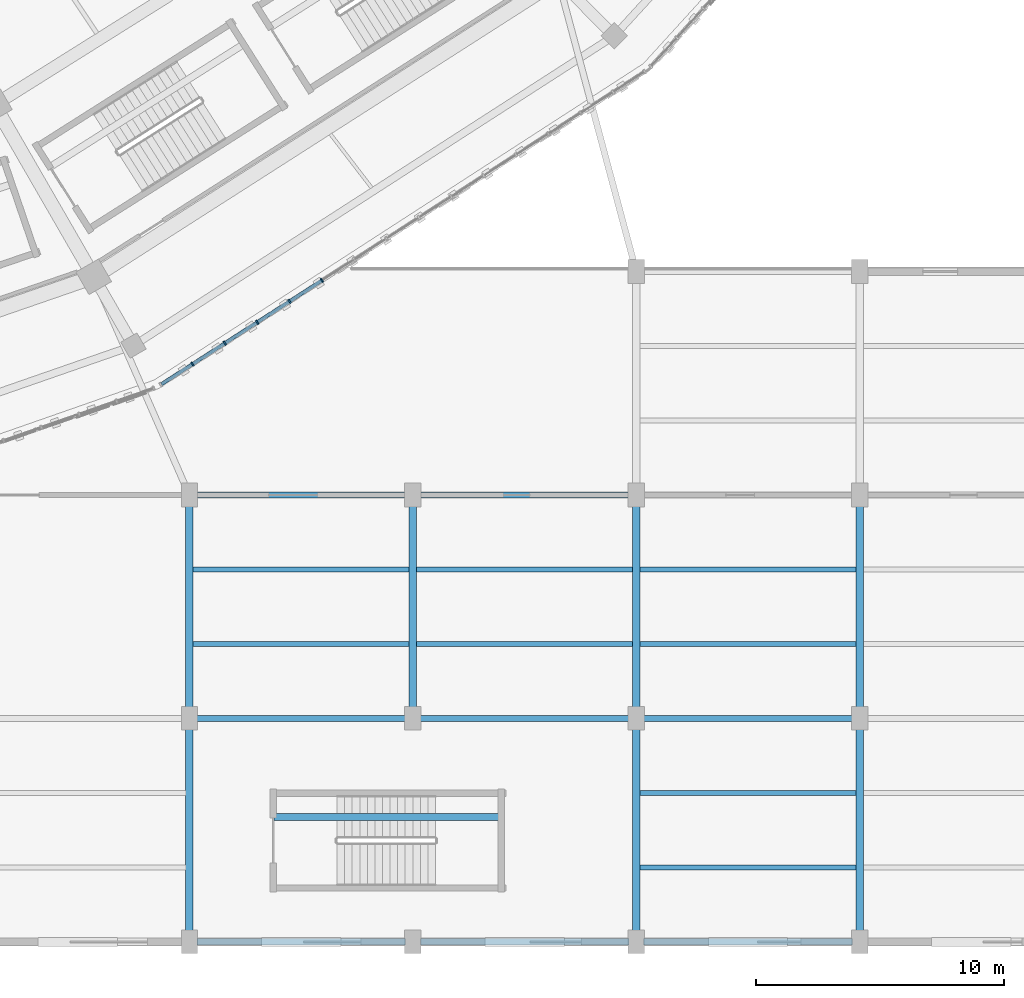
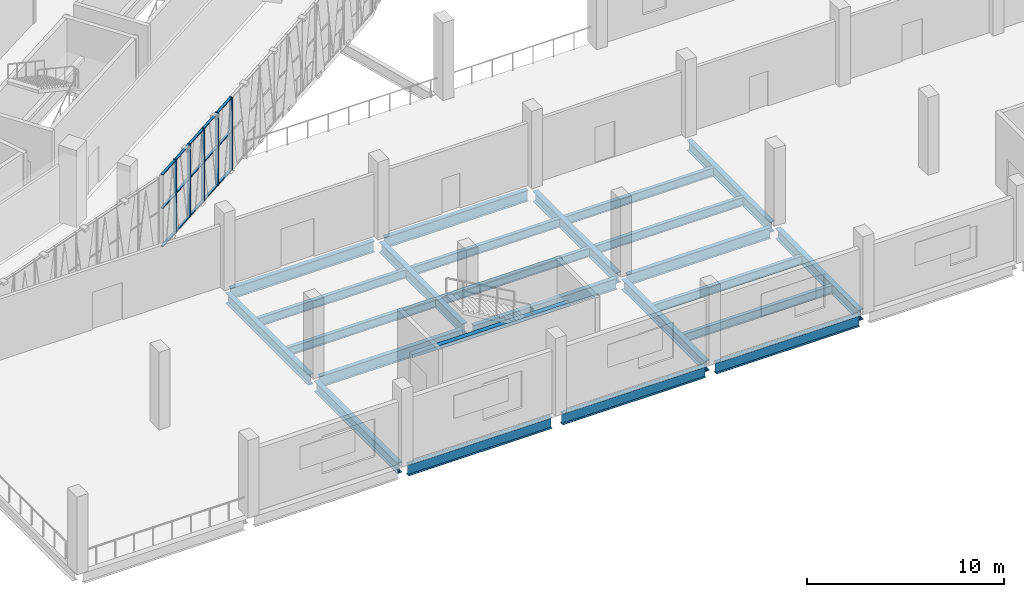
# One storey, part 30 of 179: 24 beams, 20 members, 1 element without a shape of its own.
"""IFC4 building model written with IfcOpenShell, lengths in metres."""

from ifc_helpers import new_model, si_unit, direction, frame, origin, origin_2d, place, context, subcontext, project, spatial, rectangle, i_section, extrude, material, material_profile, profile_set, type_object, element, aggregate, save


model = new_model("IFC4")

# Units and contexts
model_context = context("Model", 3, precision=1e-05, world=origin(), true_north=direction((0.0, 1.0)))
body_context = subcontext(model_context, "Body", "Model", "MODEL_VIEW")
ifc_project = project(units=[si_unit("LENGTHUNIT", "METRE"), si_unit("AREAUNIT", "SQUARE_METRE"), si_unit("VOLUMEUNIT", "CUBIC_METRE"), si_unit("PLANEANGLEUNIT", "RADIAN"), si_unit("MASSUNIT", "GRAM", prefix="KILO")], contexts=[model_context])

# Site, building, storey
site_placement = place(None, origin())
site = spatial("IfcSite", under=ifc_project, at=site_placement, CompositionType="ELEMENT")
building_placement = place(site_placement, origin())
building = spatial("IfcBuilding", under=site, at=building_placement, Name="Zevraka Park Crest Stadium", CompositionType="ELEMENT")
storey_placement = place(building_placement, frame((0.0, 0.0, 10.199951171875)))
storey = spatial("IfcBuildingStorey", under=building, at=storey_placement, Name="L02", CompositionType="ELEMENT", Elevation=10.199951171875)

# Beams
ifc_material_1 = material(Name="Steel S355", Category="steel")
ifc_material_profile_1 = material_profile(ifc_material_1, i_section(OverallWidth=0.253662109375, OverallDepth=0.68359375, WebThickness=0.012451171875, FlangeThickness=0.01904296875, at=origin_2d()), Name="UKB 686x254x140")
ifc_profile_set_1 = profile_set([ifc_material_profile_1], Name="Steel S355")
beam_type_1 = type_object("IfcBeamType", Name="BG05", PredefinedType="BEAM", material=ifc_profile_set_1)
for number, where, z_axis, x_axis, name in (
    (1, (161.300048828125, 0.0, -0.629638671875), (1.0, 0.0, 0.0), (0.0, 1.0, 0.0), "Wing Girder BG05 L02-1819/A"),
    (2, (161.300048828125, 9.0, -0.629638671875), (1.0, 0.0, 0.0), (0.0, 1.0, 0.0), "Wing Girder BG05 L02-1819/B"),
    (3, (161.300048828125, 18.0, -0.629638671875), (1.0, 0.0, 0.0), (0.0, 1.0, 0.0), "Wing Girder BG05 L02-1819/C"),
    (4, (170.300048828125, 0.0, -0.629638671875), (1.0, 0.0, 0.0), (0.0, 1.0, 0.0), "Wing Girder BG05 L02-1920/A"),
    (5, (170.300048828125, 9.0, -0.629638671875), (1.0, 0.0, 0.0), (0.0, 1.0, 0.0), "Wing Girder BG05 L02-1920/B"),
    (6, (170.300048828125, 18.0, -0.629638671875), (1.0, 0.0, 0.0), (0.0, 1.0, 0.0), "Wing Girder BG05 L02-1920/C"),
    (7, (179.300048828125, 0.0, -0.629638671875), (1.0, 0.0, 0.0), (0.0, 1.0, 0.0), "Wing Girder BG05 L02-2021/A"),
    (8, (179.300048828125, 9.0, -0.629638671875), (1.0, 0.0, 0.0), (0.0, 1.0, 0.0), "Wing Girder BG05 L02-2021/B"),
):
    element("IfcBeam", number, at=place(storey_placement, frame(where, z_axis=z_axis, x_axis=x_axis)), inside=storey, type_object=beam_type_1, Name=name, PredefinedType="BEAM", context=body_context, shape_type="SweptSolid", body=[
        extrude(i_section(OverallWidth=0.253662109375, OverallDepth=0.68359375, WebThickness=0.012451171875, FlangeThickness=0.01904296875, at=origin_2d()), origin(), (0.0, 0.0, 1.0), 8.39990234375),
    ])
ifc_material_2 = material(Name="Steel S355", Category="steel")
ifc_material_profile_2 = material_profile(ifc_material_2, i_section(OverallWidth=0.300048828125, OverallDepth=0.64990234375, WebThickness=0.01611328125, FlangeThickness=0.031005859375, at=origin_2d()), Name="HEB 650")
ifc_profile_set_2 = profile_set([ifc_material_profile_2], Name="Steel S355")
beam_type_2 = type_object("IfcBeamType", Name="BG07", PredefinedType="BEAM", material=ifc_profile_set_2)
for number, where, z_axis, x_axis, name in (
    (9, (161.0, 0.300048828125, -0.613037109375), (0.0, 1.0, 0.0), (-1.0, 0.0, 0.0), "Wing Girder BG07 L02-18/AB"),
    (10, (161.0, 9.300048828125, -0.613037109375), (0.0, 1.0, 0.0), (-1.0, 0.0, 0.0), "Wing Girder BG07 L02-18/BC"),
    (11, (170.0, 9.300048828125, -0.613037109375), (0.0, 1.0, 0.0), (-1.0, 0.0, 0.0), "Wing Girder BG07 L02-19/BC"),
    (12, (179.0, 0.300048828125, -0.613037109375), (0.0, 1.0, 0.0), (-1.0, 0.0, 0.0), "Wing Girder BG07 L02-20/AB"),
    (13, (179.0, 9.300048828125, -0.613037109375), (0.0, 1.0, 0.0), (-1.0, 0.0, 0.0), "Wing Girder BG07 L02-20/BC"),
    (14, (188.0, 0.300048828125, -0.613037109375), (0.0, 1.0, 0.0), (-1.0, 0.0, 0.0), "Wing Girder BG07 L02-21/AB"),
    (15, (188.0, 9.300048828125, -0.613037109375), (0.0, 1.0, 0.0), (-1.0, 0.0, 0.0), "Wing Girder BG07 L02-21/BC"),
):
    element("IfcBeam", number, at=place(storey_placement, frame(where, z_axis=z_axis, x_axis=x_axis)), inside=storey, type_object=beam_type_2, Name=name, PredefinedType="BEAM", context=body_context, shape_type="SweptSolid", body=[
        extrude(i_section(OverallWidth=0.300048828125, OverallDepth=0.64990234375, WebThickness=0.01611328125, FlangeThickness=0.031005859375, at=origin_2d()), origin(), (0.0, 0.0, 1.0), 8.39990234375),
    ])

# Curtain wall, members
ifc_material_3 = material(Name="Anodised architectural aluminium and laminated safety glass", Category="aluminium")
curtain_wall_type = type_object("IfcCurtainWallType", Name="CW08", PredefinedType="NOTDEFINED", material=ifc_material_3)
curtain_wall_placement = place(storey_placement, origin())
curtain_wall = element("IfcCurtainWall", 16, at=curtain_wall_placement, inside=storey, type_object=curtain_wall_type, Name="Unitised Ring Curtain Wall CW08 L02-20", PredefinedType="NOTDEFINED")
ifc_material_4 = material(Name="Anodised architectural aluminium", Category="aluminium")
ifc_material_profile_3 = material_profile(ifc_material_4, rectangle(XDim=0.179931640625, YDim=0.06494140625, at=origin_2d()), Name="ALU MULLION 180x65")
ifc_profile_set_3 = profile_set([ifc_material_profile_3], Name="Anodised architectural aluminium")
member_type_1 = type_object("IfcMemberType", Name="CM02", PredefinedType="MULLION", material=ifc_profile_set_3)
member_1_placement = place(storey_placement, frame((161.126953125, 23.270751953125, 0.0), z_axis=(0.0, 0.0, 1.0), x_axis=(-0.543096287444, 0.839670424967, 0.0)))
member_1 = element("IfcMember", 17, at=member_1_placement, type_object=member_type_1, Name="CW08 mullion 2", PredefinedType="MULLION", context=body_context, shape_type="SweptSolid", body=[
    extrude(rectangle(XDim=0.179931640625, YDim=0.06494140625, at=origin_2d()), origin(), (0.0, 0.0, 1.0), 4.5),
])
member_2_placement = place(storey_placement, frame((162.429931640625, 24.113525390625, 0.0), z_axis=(0.0, 0.0, 1.0), x_axis=(-0.543096287444, 0.839670424967, 0.0)))
member_2 = element("IfcMember", 18, at=member_2_placement, type_object=member_type_1, Name="CW08 mullion 3", PredefinedType="MULLION", context=body_context, shape_type="SweptSolid", body=[
    extrude(rectangle(XDim=0.179931640625, YDim=0.06494140625, at=origin_2d()), origin(), (0.0, 0.0, 1.0), 4.5),
])
member_3_placement = place(storey_placement, frame((163.73291015625, 24.956298828125, 0.0), z_axis=(0.0, 0.0, 1.0), x_axis=(-0.543096287444, 0.839670424967, 0.0)))
member_3 = element("IfcMember", 19, at=member_3_placement, type_object=member_type_1, Name="CW08 mullion 4", PredefinedType="MULLION", context=body_context, shape_type="SweptSolid", body=[
    extrude(rectangle(XDim=0.179931640625, YDim=0.06494140625, at=origin_2d()), origin(), (0.0, 0.0, 1.0), 4.5),
])
member_4_placement = place(storey_placement, frame((165.03564453125, 25.798828125, 0.0), z_axis=(0.0, 0.0, 1.0), x_axis=(-0.543096287444, 0.839670424967, 0.0)))
member_4 = element("IfcMember", 20, at=member_4_placement, type_object=member_type_1, Name="CW08 mullion 5", PredefinedType="MULLION", context=body_context, shape_type="SweptSolid", body=[
    extrude(rectangle(XDim=0.179931640625, YDim=0.06494140625, at=origin_2d()), origin(), (0.0, 0.0, 1.0), 4.5),
])
member_5_placement = place(storey_placement, frame((166.338623046875, 26.6416015625, 0.0), z_axis=(0.0, 0.0, 1.0), x_axis=(-0.543096287444, 0.839670424967, 0.0)))
member_5 = element("IfcMember", 21, at=member_5_placement, type_object=member_type_1, Name="CW08 mullion 6", PredefinedType="MULLION", context=body_context, shape_type="SweptSolid", body=[
    extrude(rectangle(XDim=0.179931640625, YDim=0.06494140625, at=origin_2d()), origin(), (0.0, 0.0, 1.0), 4.5),
])
ifc_material_5 = material(Name="Anodised architectural aluminium", Category="aluminium")
ifc_material_profile_4 = material_profile(ifc_material_5, rectangle(XDim=0.139892578125, YDim=0.06494140625, at=origin_2d()), Name="ALU TRANSOM 140x65")
ifc_profile_set_4 = profile_set([ifc_material_profile_4], Name="Anodised architectural aluminium")
member_type_2 = type_object("IfcMemberType", Name="CT02", PredefinedType="USERDEFINED", material=ifc_profile_set_4)
member_6_placement = place(storey_placement, frame((159.878662109375, 22.46337890625, 0.032470703125), z_axis=(0.839642221706, 0.543139889466, 0.0), x_axis=(-0.543139889466, 0.839642221706, 0.0)))
member_6 = element("IfcMember", 22, at=member_6_placement, type_object=member_type_2, Name="CW08 transom 1.1", ObjectType="TRANSOM", PredefinedType="USERDEFINED", context=body_context, shape_type="SweptSolid", body=[
    extrude(rectangle(XDim=0.139892578125, YDim=0.06494140625, at=origin_2d()), origin(), (0.0, 0.0, 1.0), 1.4541015625),
])
member_7_placement = place(storey_placement, frame((159.878662109375, 22.46337890625, 2.400146484375), z_axis=(0.839642221706, 0.543139889466, 0.0), x_axis=(-0.543139889466, 0.839642221706, 0.0)))
member_7 = element("IfcMember", 23, at=member_7_placement, type_object=member_type_2, Name="CW08 transom 1.2", ObjectType="TRANSOM", PredefinedType="USERDEFINED", context=body_context, shape_type="SweptSolid", body=[
    extrude(rectangle(XDim=0.139892578125, YDim=0.06494140625, at=origin_2d()), origin(), (0.0, 0.0, 1.0), 1.4541015625),
])
member_8_placement = place(storey_placement, frame((159.878662109375, 22.46337890625, 4.467529296875), z_axis=(0.839642221706, 0.543139889466, 0.0), x_axis=(-0.543139889466, 0.839642221706, 0.0)))
member_8 = element("IfcMember", 24, at=member_8_placement, type_object=member_type_2, Name="CW08 transom 1.3", ObjectType="TRANSOM", PredefinedType="USERDEFINED", context=body_context, shape_type="SweptSolid", body=[
    extrude(rectangle(XDim=0.139892578125, YDim=0.06494140625, at=origin_2d()), origin(), (0.0, 0.0, 1.0), 1.4541015625),
])
member_9_placement = place(storey_placement, frame((161.154296875, 23.288330078125, 0.032470703125), z_axis=(0.839675885301, 0.543087845236, 0.0), x_axis=(-0.543087845236, 0.839675885301, 0.0)))
member_9 = element("IfcMember", 25, at=member_9_placement, type_object=member_type_2, Name="CW08 transom 2.1", ObjectType="TRANSOM", PredefinedType="USERDEFINED", context=body_context, shape_type="SweptSolid", body=[
    extrude(rectangle(XDim=0.139892578125, YDim=0.06494140625, at=origin_2d()), origin(), (0.0, 0.0, 1.0), 1.486572265625),
])
member_10_placement = place(storey_placement, frame((161.154296875, 23.288330078125, 2.400146484375), z_axis=(0.839675885301, 0.543087845236, 0.0), x_axis=(-0.543087845236, 0.839675885301, 0.0)))
member_10 = element("IfcMember", 26, at=member_10_placement, type_object=member_type_2, Name="CW08 transom 2.2", ObjectType="TRANSOM", PredefinedType="USERDEFINED", context=body_context, shape_type="SweptSolid", body=[
    extrude(rectangle(XDim=0.139892578125, YDim=0.06494140625, at=origin_2d()), origin(), (0.0, 0.0, 1.0), 1.486572265625),
])
member_11_placement = place(storey_placement, frame((161.154296875, 23.288330078125, 4.467529296875), z_axis=(0.839675885301, 0.543087845236, 0.0), x_axis=(-0.543087845236, 0.839675885301, 0.0)))
member_11 = element("IfcMember", 27, at=member_11_placement, type_object=member_type_2, Name="CW08 transom 2.3", ObjectType="TRANSOM", PredefinedType="USERDEFINED", context=body_context, shape_type="SweptSolid", body=[
    extrude(rectangle(XDim=0.139892578125, YDim=0.06494140625, at=origin_2d()), origin(), (0.0, 0.0, 1.0), 1.486572265625),
])
member_12_placement = place(storey_placement, frame((162.457275390625, 24.131103515625, 0.032470703125), z_axis=(0.839675885301, 0.543087845236, 0.0), x_axis=(-0.543087845236, 0.839675885301, 0.0)))
member_12 = element("IfcMember", 28, at=member_12_placement, type_object=member_type_2, Name="CW08 transom 3.1", ObjectType="TRANSOM", PredefinedType="USERDEFINED", context=body_context, shape_type="SweptSolid", body=[
    extrude(rectangle(XDim=0.139892578125, YDim=0.06494140625, at=origin_2d()), origin(), (0.0, 0.0, 1.0), 1.486572265625),
])
member_13_placement = place(storey_placement, frame((162.457275390625, 24.131103515625, 2.400146484375), z_axis=(0.839675885301, 0.543087845236, 0.0), x_axis=(-0.543087845236, 0.839675885301, 0.0)))
member_13 = element("IfcMember", 29, at=member_13_placement, type_object=member_type_2, Name="CW08 transom 3.2", ObjectType="TRANSOM", PredefinedType="USERDEFINED", context=body_context, shape_type="SweptSolid", body=[
    extrude(rectangle(XDim=0.139892578125, YDim=0.06494140625, at=origin_2d()), origin(), (0.0, 0.0, 1.0), 1.486572265625),
])
member_14_placement = place(storey_placement, frame((162.457275390625, 24.131103515625, 4.467529296875), z_axis=(0.839675885301, 0.543087845236, 0.0), x_axis=(-0.543087845236, 0.839675885301, 0.0)))
member_14 = element("IfcMember", 30, at=member_14_placement, type_object=member_type_2, Name="CW08 transom 3.3", ObjectType="TRANSOM", PredefinedType="USERDEFINED", context=body_context, shape_type="SweptSolid", body=[
    extrude(rectangle(XDim=0.139892578125, YDim=0.06494140625, at=origin_2d()), origin(), (0.0, 0.0, 1.0), 1.486572265625),
])
member_15_placement = place(storey_placement, frame((163.760009765625, 24.973876953125, 0.032470703125), z_axis=(0.839724312152, 0.543012964468, 0.0), x_axis=(-0.543012964468, 0.839724312152, 0.0)))
member_15 = element("IfcMember", 31, at=member_15_placement, type_object=member_type_2, Name="CW08 transom 4.1", ObjectType="TRANSOM", PredefinedType="USERDEFINED", context=body_context, shape_type="SweptSolid", body=[
    extrude(rectangle(XDim=0.139892578125, YDim=0.06494140625, at=origin_2d()), origin(), (0.0, 0.0, 1.0), 1.48681640625),
])
member_16_placement = place(storey_placement, frame((163.760009765625, 24.973876953125, 2.400146484375), z_axis=(0.839724312152, 0.543012964468, 0.0), x_axis=(-0.543012964468, 0.839724312152, 0.0)))
member_16 = element("IfcMember", 32, at=member_16_placement, type_object=member_type_2, Name="CW08 transom 4.2", ObjectType="TRANSOM", PredefinedType="USERDEFINED", context=body_context, shape_type="SweptSolid", body=[
    extrude(rectangle(XDim=0.139892578125, YDim=0.06494140625, at=origin_2d()), origin(), (0.0, 0.0, 1.0), 1.48681640625),
])
member_17_placement = place(storey_placement, frame((163.760009765625, 24.973876953125, 4.467529296875), z_axis=(0.839724312152, 0.543012964468, 0.0), x_axis=(-0.543012964468, 0.839724312152, 0.0)))
member_17 = element("IfcMember", 33, at=member_17_placement, type_object=member_type_2, Name="CW08 transom 4.3", ObjectType="TRANSOM", PredefinedType="USERDEFINED", context=body_context, shape_type="SweptSolid", body=[
    extrude(rectangle(XDim=0.139892578125, YDim=0.06494140625, at=origin_2d()), origin(), (0.0, 0.0, 1.0), 1.48681640625),
])
member_18_placement = place(storey_placement, frame((165.06298828125, 25.816650390625, 0.032470703125), z_axis=(0.839675885301, 0.543087845236, 0.0), x_axis=(-0.543087845236, 0.839675885301, 0.0)))
member_18 = element("IfcMember", 34, at=member_18_placement, type_object=member_type_2, Name="CW08 transom 5.1", ObjectType="TRANSOM", PredefinedType="USERDEFINED", context=body_context, shape_type="SweptSolid", body=[
    extrude(rectangle(XDim=0.139892578125, YDim=0.06494140625, at=origin_2d()), origin(), (0.0, 0.0, 1.0), 1.486572265625),
])
member_19_placement = place(storey_placement, frame((165.06298828125, 25.816650390625, 2.400146484375), z_axis=(0.839675885301, 0.543087845236, 0.0), x_axis=(-0.543087845236, 0.839675885301, 0.0)))
member_19 = element("IfcMember", 35, at=member_19_placement, type_object=member_type_2, Name="CW08 transom 5.2", ObjectType="TRANSOM", PredefinedType="USERDEFINED", context=body_context, shape_type="SweptSolid", body=[
    extrude(rectangle(XDim=0.139892578125, YDim=0.06494140625, at=origin_2d()), origin(), (0.0, 0.0, 1.0), 1.486572265625),
])
member_20_placement = place(storey_placement, frame((165.06298828125, 25.816650390625, 4.467529296875), z_axis=(0.839675885301, 0.543087845236, 0.0), x_axis=(-0.543087845236, 0.839675885301, 0.0)))
member_20 = element("IfcMember", 36, at=member_20_placement, type_object=member_type_2, Name="CW08 transom 5.3", ObjectType="TRANSOM", PredefinedType="USERDEFINED", context=body_context, shape_type="SweptSolid", body=[
    extrude(rectangle(XDim=0.139892578125, YDim=0.06494140625, at=origin_2d()), origin(), (0.0, 0.0, 1.0), 1.486572265625),
])
aggregate(curtain_wall, [member_1, member_2, member_3, member_4, member_5, member_6, member_7, member_8, member_9, member_10, member_11, member_12, member_13, member_14, member_15, member_16, member_17, member_18, member_19, member_20])

# Beams
ifc_material_6 = material(Name="Steel S355", Category="steel")
ifc_material_profile_5 = material_profile(ifc_material_6, i_section(OverallWidth=0.209228515625, OverallDepth=0.533203125, WebThickness=0.010009765625, FlangeThickness=0.015625, at=origin_2d()), Name="UKB 533x210x92")
ifc_profile_set_5 = profile_set([ifc_material_profile_5], Name="Steel S355")
beam_type_3 = type_object("IfcBeamType", Name="SJ05", PredefinedType="JOIST", material=ifc_profile_set_5)
for number, where, z_axis, x_axis, name in (
    (37, (161.14501953125, 12.0, -0.556396484375), (1.0, 0.0, 0.0), (0.0, 1.0, 0.0), "Wing Joist SJ05 L02-18/B-1"),
    (38, (161.14501953125, 15.0, -0.556396484375), (1.0, 0.0, 0.0), (0.0, 1.0, 0.0), "Wing Joist SJ05 L02-18/B-2"),
    (39, (170.14501953125, 12.0, -0.556396484375), (1.0, 0.0, 0.0), (0.0, 1.0, 0.0), "Wing Joist SJ05 L02-19/B-1"),
    (40, (170.14501953125, 15.0, -0.556396484375), (1.0, 0.0, 0.0), (0.0, 1.0, 0.0), "Wing Joist SJ05 L02-19/B-2"),
    (41, (179.14501953125, 3.0, -0.556396484375), (1.0, 0.0, 0.0), (0.0, 1.0, 0.0), "Wing Joist SJ05 L02-20/A-1"),
    (42, (179.14501953125, 6.0, -0.556396484375), (1.0, 0.0, 0.0), (0.0, 1.0, 0.0), "Wing Joist SJ05 L02-20/A-2"),
    (43, (179.14501953125, 12.0, -0.556396484375), (1.0, 0.0, 0.0), (0.0, 1.0, 0.0), "Wing Joist SJ05 L02-20/B-1"),
    (44, (179.14501953125, 15.0, -0.556396484375), (1.0, 0.0, 0.0), (0.0, 1.0, 0.0), "Wing Joist SJ05 L02-20/B-2"),
):
    element("IfcBeam", number, at=place(storey_placement, frame(where, z_axis=z_axis, x_axis=x_axis)), inside=storey, type_object=beam_type_3, Name=name, PredefinedType="JOIST", context=body_context, shape_type="SweptSolid", body=[
        extrude(i_section(OverallWidth=0.209228515625, OverallDepth=0.533203125, WebThickness=0.010009765625, FlangeThickness=0.015625, at=origin_2d()), origin(), (0.0, 0.0, 1.0), 8.7099609375),
    ])
ifc_material_7 = material(Name="Concrete C40/50", Category="concrete")
ifc_material_profile_6 = material_profile(ifc_material_7, rectangle(XDim=0.280029296875, YDim=0.199951171875, at=origin_2d()), Name="RC 200x280")
ifc_profile_set_6 = profile_set([ifc_material_profile_6], Name="Concrete C40/50")
beam_type_4 = type_object("IfcBeamType", Name="SJ13", PredefinedType="JOIST", material=ifc_profile_set_6)
beam_placement = place(storey_placement, frame((164.39990234375, 5.034912109375, 2.300048828125), z_axis=(1.0, 0.0, 0.0), x_axis=(0.0, 1.0, 0.0)))
element("IfcBeam", 45, at=beam_placement, inside=storey, type_object=beam_type_4, Name="Stair Upper-Flight Longitudinal Stringer SJ13 ST53-L02", PredefinedType="JOIST", context=body_context, shape_type="SweptSolid", body=[
    extrude(rectangle(XDim=0.280029296875, YDim=0.199951171875, at=origin_2d()), origin(), (0.0, 0.0, 1.0), 9.2001953125),
])

save(model, "model.ifc")
